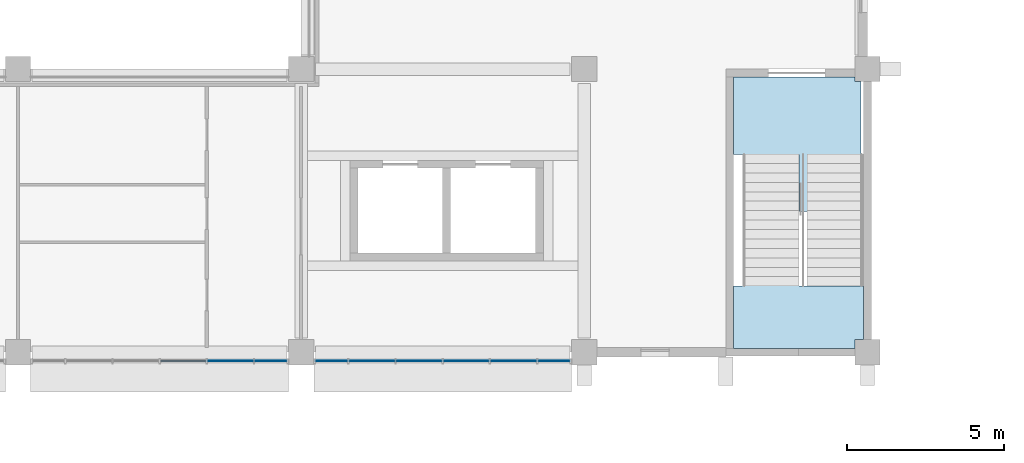
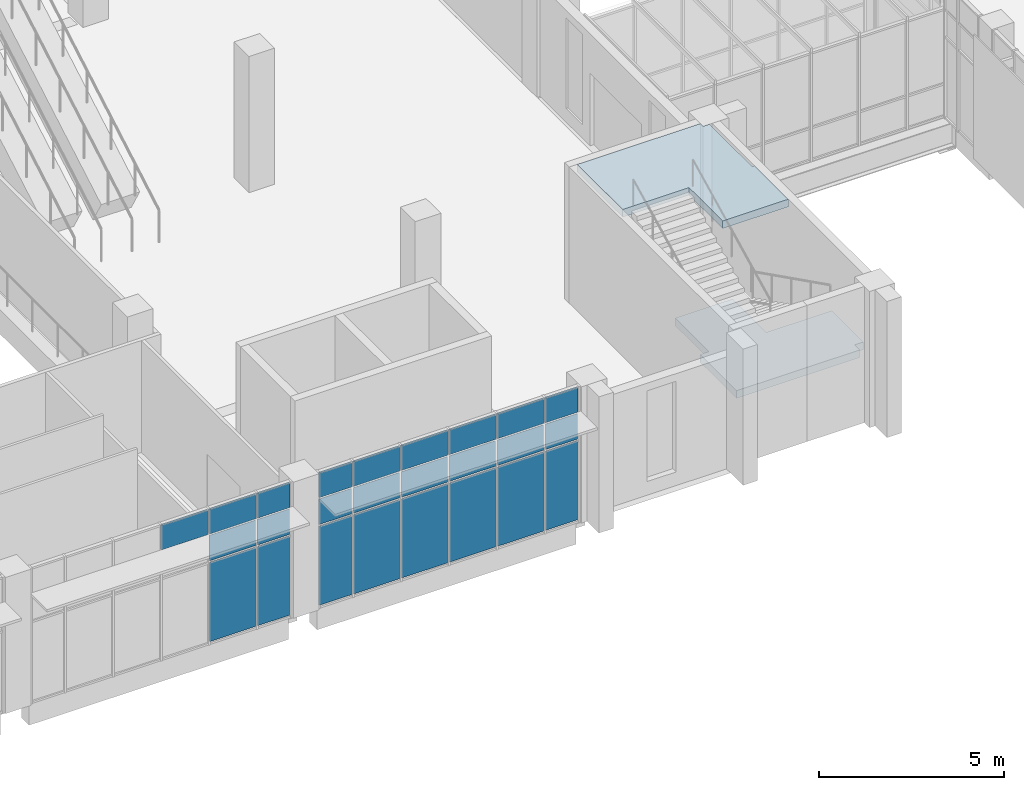
# One storey, part 51 of 106: 25 plates, 2 slabs, 3 elements without a shape of their own.
"""IFC4 building model written with IfcOpenShell, lengths in metres."""

from ifc_helpers import new_model, si_unit, direction, frame, origin, origin_2d, place, context, subcontext, project, spatial, polyline, rectangle, outline, extrude, material, layer, layer_set, type_object, element, aggregate, save


model = new_model("IFC4")

# Units and contexts
model_context = context("Model", 3, precision=1e-05, world=origin(), true_north=direction((0.0, 1.0)))
body_context = subcontext(model_context, "Body", "Model", "MODEL_VIEW")
ifc_project = project(units=[si_unit("LENGTHUNIT", "METRE"), si_unit("AREAUNIT", "SQUARE_METRE"), si_unit("VOLUMEUNIT", "CUBIC_METRE"), si_unit("PLANEANGLEUNIT", "RADIAN"), si_unit("MASSUNIT", "GRAM", prefix="KILO")], contexts=[model_context])

# Site, building, storey
site_placement = place(None, origin())
site = spatial("IfcSite", under=ifc_project, at=site_placement, CompositionType="ELEMENT")
building_placement = place(site_placement, origin())
building = spatial("IfcBuilding", under=site, at=building_placement, Name="Guidao Yard Department Store", CompositionType="ELEMENT")
storey_placement = place(building_placement, frame((0.0, 0.0, 10.5)))
storey = spatial("IfcBuildingStorey", under=building, at=storey_placement, Name="L02", CompositionType="ELEMENT", Elevation=10.5)

# Curtain wall, plates
ifc_material_1 = material(Name="Aluminium and glass", Category="aluminium")
ifc_layer_1 = layer(ifc_material_1, 0.159912109375)
ifc_layer_set_1 = layer_set([ifc_layer_1], Name="Hall front curtain wall CW2 1500 module")
curtain_wall_type = type_object("IfcCurtainWallType", Name="Hall front curtain wall CW2 1500 module", PredefinedType="NOTDEFINED", material=ifc_layer_set_1)
curtain_wall_1_placement = place(storey_placement, origin())
curtain_wall_1 = element("IfcCurtainWall", 1, at=curtain_wall_1_placement, inside=storey, type_object=curtain_wall_type, Name="Hall front curtain wall", PredefinedType="NOTDEFINED")
ifc_material_2 = material(Name="Aluminium 6063-T5 faced insulated spandrel", Category="aluminium")
ifc_layer_2 = layer(ifc_material_2, 0.06005859375)
ifc_layer_set_2 = layer_set([ifc_layer_2], Name="Spandrel panel SP1 insulated opaque")
plate_type_1 = type_object("IfcPlateType", Name="Spandrel panel SP1 insulated opaque", PredefinedType="CURTAIN_PANEL", material=ifc_layer_set_2)
plate_1_placement = place(storey_placement, frame((41.25, 44.719970703125, 3.6298828125), z_axis=(0.0, 0.0, 1.0), x_axis=(-1.0, 0.0, 0.0)))
plate_1 = element("IfcPlate", 2, at=plate_1_placement, type_object=plate_type_1, Name="CW-HF-L02-04 panel 4.3", PredefinedType="CURTAIN_PANEL", context=body_context, shape_type="SweptSolid", body=[
    extrude(rectangle(XDim=1.43994140625, YDim=0.06005859375, at=origin_2d()), origin(), (0.0, 0.0, 1.0), 0.81005859375),
])
plate_2_placement = place(storey_placement, frame((42.75, 44.719970703125, 3.6298828125), z_axis=(0.0, 0.0, 1.0), x_axis=(-1.0, 0.0, 0.0)))
plate_2 = element("IfcPlate", 3, at=plate_2_placement, type_object=plate_type_1, Name="CW-HF-L02-04 panel 5.3", PredefinedType="CURTAIN_PANEL", context=body_context, shape_type="SweptSolid", body=[
    extrude(rectangle(XDim=1.43994140625, YDim=0.06005859375, at=origin_2d()), origin(), (0.0, 0.0, 1.0), 0.81005859375),
])
plate_3_placement = place(storey_placement, frame((44.034912109375, 44.719970703125, 3.6298828125), z_axis=(0.0, 0.0, 1.0), x_axis=(-1.0, 0.0, 0.0)))
plate_3 = element("IfcPlate", 4, at=plate_3_placement, type_object=plate_type_1, Name="CW-HF-L02-04 panel 6.3", PredefinedType="CURTAIN_PANEL", context=body_context, shape_type="SweptSolid", body=[
    extrude(rectangle(XDim=1.010009765625, YDim=0.06005859375, at=origin_2d()), origin(), (0.0, 0.0, 1.0), 0.81005859375),
])

curtain_wall_2_placement = place(storey_placement, origin())
curtain_wall_2 = element("IfcCurtainWall", 5, at=curtain_wall_2_placement, inside=storey, type_object=curtain_wall_type, Name="Hall front curtain wall", PredefinedType="NOTDEFINED")
plate_4_placement = place(storey_placement, frame((45.965087890625, 44.719970703125, 3.6298828125), z_axis=(0.0, 0.0, 1.0), x_axis=(-1.0, 0.0, 0.0)))
plate_4 = element("IfcPlate", 6, at=plate_4_placement, type_object=plate_type_1, Name="CW-HF-L02-05 panel 1.3", PredefinedType="CURTAIN_PANEL", context=body_context, shape_type="SweptSolid", body=[
    extrude(rectangle(XDim=1.010009765625, YDim=0.06005859375, at=origin_2d()), origin(), (0.0, 0.0, 1.0), 0.81005859375),
])
plate_5_placement = place(storey_placement, frame((47.25, 44.719970703125, 3.6298828125), z_axis=(0.0, 0.0, 1.0), x_axis=(-1.0, 0.0, 0.0)))
plate_5 = element("IfcPlate", 7, at=plate_5_placement, type_object=plate_type_1, Name="CW-HF-L02-05 panel 2.3", PredefinedType="CURTAIN_PANEL", context=body_context, shape_type="SweptSolid", body=[
    extrude(rectangle(XDim=1.43994140625, YDim=0.06005859375, at=origin_2d()), origin(), (0.0, 0.0, 1.0), 0.81005859375),
])
plate_6_placement = place(storey_placement, frame((48.75, 44.719970703125, 3.6298828125), z_axis=(0.0, 0.0, 1.0), x_axis=(-1.0, 0.0, 0.0)))
plate_6 = element("IfcPlate", 8, at=plate_6_placement, type_object=plate_type_1, Name="CW-HF-L02-05 panel 3.3", PredefinedType="CURTAIN_PANEL", context=body_context, shape_type="SweptSolid", body=[
    extrude(rectangle(XDim=1.43994140625, YDim=0.06005859375, at=origin_2d()), origin(), (0.0, 0.0, 1.0), 0.81005859375),
])
plate_7_placement = place(storey_placement, frame((50.25, 44.719970703125, 3.6298828125), z_axis=(0.0, 0.0, 1.0), x_axis=(-1.0, 0.0, 0.0)))
plate_7 = element("IfcPlate", 9, at=plate_7_placement, type_object=plate_type_1, Name="CW-HF-L02-05 panel 4.3", PredefinedType="CURTAIN_PANEL", context=body_context, shape_type="SweptSolid", body=[
    extrude(rectangle(XDim=1.43994140625, YDim=0.06005859375, at=origin_2d()), origin(), (0.0, 0.0, 1.0), 0.81005859375),
])
plate_8_placement = place(storey_placement, frame((51.75, 44.719970703125, 3.6298828125), z_axis=(0.0, 0.0, 1.0), x_axis=(-1.0, 0.0, 0.0)))
plate_8 = element("IfcPlate", 10, at=plate_8_placement, type_object=plate_type_1, Name="CW-HF-L02-05 panel 5.3", PredefinedType="CURTAIN_PANEL", context=body_context, shape_type="SweptSolid", body=[
    extrude(rectangle(XDim=1.43994140625, YDim=0.06005859375, at=origin_2d()), origin(), (0.0, 0.0, 1.0), 0.81005859375),
])
plate_9_placement = place(storey_placement, frame((53.034912109375, 44.719970703125, 3.6298828125), z_axis=(0.0, 0.0, 1.0), x_axis=(-1.0, 0.0, 0.0)))
plate_9 = element("IfcPlate", 11, at=plate_9_placement, type_object=plate_type_1, Name="CW-HF-L02-05 panel 6.3", PredefinedType="CURTAIN_PANEL", context=body_context, shape_type="SweptSolid", body=[
    extrude(rectangle(XDim=1.010009765625, YDim=0.06005859375, at=origin_2d()), origin(), (0.0, 0.0, 1.0), 0.81005859375),
])

# Stair, slabs
ifc_material_3 = material(Name="Concrete C35", Category="concrete")
stair_type = type_object("IfcStairType", Name="Stair half-turn two-flight 1800 wide 4.5 m rise", PredefinedType="HALF_TURN_STAIR", material=ifc_material_3)
stair_placement = place(storey_placement, origin())
stair = element("IfcStair", 12, at=stair_placement, inside=storey, type_object=stair_type, Name="Stair A2 L02 to L03", PredefinedType="HALF_TURN_STAIR")
ifc_material_4 = material(Name="Concrete C35", Category="concrete")
ifc_layer_3 = layer(ifc_material_4, 0.25)
ifc_layer_set_3 = layer_set([ifc_layer_3], Name="Stair landing RC 250 C35")
slab_type = type_object("IfcSlabType", Name="Stair landing RC 250 C35", PredefinedType="LANDING", material=ifc_layer_set_3)
slab_1_placement = place(storey_placement, frame((0.0, 0.0, 2.0)))
slab_1 = element("IfcSlab", 13, at=slab_1_placement, type_object=slab_type, Name="SA2-L02 landing 1", PredefinedType="LANDING", context=body_context, shape_type="SweptSolid", body=[
    extrude(outline(polyline([(58.75, 47.10009765625), (59.02490234375, 47.10009765625), (59.02490234375, 48.929931640625), (60.824951171875, 48.929931640625), (60.824951171875, 47.110107421875), (62.875, 47.110107421875), (62.875, 47.10009765625), (62.875, 45.39990234375), (62.60009765625, 45.39990234375), (62.60009765625, 45.125), (58.75, 45.125), (58.75, 47.10009765625)])), origin(), (0.0, 0.0, 1.0), 0.25),
])
slab_2_placement = place(storey_placement, frame((0.0, 0.0, 4.25)))
slab_2 = element("IfcSlab", 14, at=slab_2_placement, type_object=slab_type, Name="SA2-L02 landing 2", PredefinedType="LANDING", context=body_context, shape_type="SweptSolid", body=[
    extrude(outline(polyline([(60.824951171875, 49.469970703125), (60.824951171875, 51.2900390625), (58.75, 51.2900390625), (58.75, 53.75), (60.824951171875, 53.75), (62.60009765625, 53.75), (62.60009765625, 53.60009765625), (62.800048828125, 53.60009765625), (62.800048828125, 51.300048828125), (62.875, 51.300048828125), (62.875, 49.469970703125), (60.824951171875, 49.469970703125)])), origin(), (0.0, 0.0, 1.0), 0.25),
])
aggregate(stair, [slab_1, slab_2])

# Plate
ifc_material_5 = material(Name="Laminated heat-soaked tempered glass", Category="glass")
ifc_layer_4 = layer(ifc_material_5, 0.017578125)
ifc_layer_set_4 = layer_set([ifc_layer_4], Name="Vision glass VG1 laminated heat-soaked tempered 8+8")
plate_type_2 = type_object("IfcPlateType", Name="Vision glass VG1 laminated heat-soaked tempered 8+8", PredefinedType="CURTAIN_PANEL", material=ifc_layer_set_4)
plate_10_placement = place(storey_placement, frame((42.75, 44.719970703125, 0.06005859375), z_axis=(0.0, 0.0, 1.0), x_axis=(-1.0, 0.0, 0.0)))
plate_10 = element("IfcPlate", 15, at=plate_10_placement, type_object=plate_type_2, Name="CW-HF-L02-04 panel 5.1", PredefinedType="CURTAIN_PANEL", context=body_context, shape_type="SweptSolid", body=[
    extrude(rectangle(XDim=1.43994140625, YDim=0.017578125, at=origin_2d()), origin(), (0.0, 0.0, 1.0), 2.610107421875),
])

plate_11_placement = place(storey_placement, frame((42.75, 44.719970703125, 2.72998046875), z_axis=(0.0, 0.0, 1.0), x_axis=(-1.0, 0.0, 0.0)))
plate_11 = element("IfcPlate", 16, at=plate_11_placement, type_object=plate_type_2, Name="CW-HF-L02-04 panel 5.2", PredefinedType="CURTAIN_PANEL", context=body_context, shape_type="SweptSolid", body=[
    extrude(rectangle(XDim=1.43994140625, YDim=0.017578125, at=origin_2d()), origin(), (0.0, 0.0, 1.0), 0.840087890625),
])

plate_12_placement = place(storey_placement, frame((44.034912109375, 44.719970703125, 0.06005859375), z_axis=(0.0, 0.0, 1.0), x_axis=(-1.0, 0.0, 0.0)))
plate_12 = element("IfcPlate", 17, at=plate_12_placement, type_object=plate_type_2, Name="CW-HF-L02-04 panel 6.1", PredefinedType="CURTAIN_PANEL", context=body_context, shape_type="SweptSolid", body=[
    extrude(rectangle(XDim=1.010009765625, YDim=0.017578125, at=origin_2d()), origin(), (0.0, 0.0, 1.0), 2.610107421875),
])

plate_13_placement = place(storey_placement, frame((44.034912109375, 44.719970703125, 2.72998046875), z_axis=(0.0, 0.0, 1.0), x_axis=(-1.0, 0.0, 0.0)))
plate_13 = element("IfcPlate", 18, at=plate_13_placement, type_object=plate_type_2, Name="CW-HF-L02-04 panel 6.2", PredefinedType="CURTAIN_PANEL", context=body_context, shape_type="SweptSolid", body=[
    extrude(rectangle(XDim=1.010009765625, YDim=0.017578125, at=origin_2d()), origin(), (0.0, 0.0, 1.0), 0.840087890625),
])

aggregate(curtain_wall_1, [plate_1, plate_10, plate_11, plate_2, plate_12, plate_13, plate_3])

plate_14_placement = place(storey_placement, frame((45.965087890625, 44.719970703125, 0.06005859375), z_axis=(0.0, 0.0, 1.0), x_axis=(-1.0, 0.0, 0.0)))
plate_14 = element("IfcPlate", 19, at=plate_14_placement, type_object=plate_type_2, Name="CW-HF-L02-05 panel 1.1", PredefinedType="CURTAIN_PANEL", context=body_context, shape_type="SweptSolid", body=[
    extrude(rectangle(XDim=1.010009765625, YDim=0.017578125, at=origin_2d()), origin(), (0.0, 0.0, 1.0), 2.610107421875),
])

plate_15_placement = place(storey_placement, frame((45.965087890625, 44.719970703125, 2.72998046875), z_axis=(0.0, 0.0, 1.0), x_axis=(-1.0, 0.0, 0.0)))
plate_15 = element("IfcPlate", 20, at=plate_15_placement, type_object=plate_type_2, Name="CW-HF-L02-05 panel 1.2", PredefinedType="CURTAIN_PANEL", context=body_context, shape_type="SweptSolid", body=[
    extrude(rectangle(XDim=1.010009765625, YDim=0.017578125, at=origin_2d()), origin(), (0.0, 0.0, 1.0), 0.840087890625),
])

plate_16_placement = place(storey_placement, frame((47.25, 44.719970703125, 0.06005859375), z_axis=(0.0, 0.0, 1.0), x_axis=(-1.0, 0.0, 0.0)))
plate_16 = element("IfcPlate", 21, at=plate_16_placement, type_object=plate_type_2, Name="CW-HF-L02-05 panel 2.1", PredefinedType="CURTAIN_PANEL", context=body_context, shape_type="SweptSolid", body=[
    extrude(rectangle(XDim=1.43994140625, YDim=0.017578125, at=origin_2d()), origin(), (0.0, 0.0, 1.0), 2.610107421875),
])

plate_17_placement = place(storey_placement, frame((47.25, 44.719970703125, 2.72998046875), z_axis=(0.0, 0.0, 1.0), x_axis=(-1.0, 0.0, 0.0)))
plate_17 = element("IfcPlate", 22, at=plate_17_placement, type_object=plate_type_2, Name="CW-HF-L02-05 panel 2.2", PredefinedType="CURTAIN_PANEL", context=body_context, shape_type="SweptSolid", body=[
    extrude(rectangle(XDim=1.43994140625, YDim=0.017578125, at=origin_2d()), origin(), (0.0, 0.0, 1.0), 0.840087890625),
])

plate_18_placement = place(storey_placement, frame((48.75, 44.719970703125, 0.06005859375), z_axis=(0.0, 0.0, 1.0), x_axis=(-1.0, 0.0, 0.0)))
plate_18 = element("IfcPlate", 23, at=plate_18_placement, type_object=plate_type_2, Name="CW-HF-L02-05 panel 3.1", PredefinedType="CURTAIN_PANEL", context=body_context, shape_type="SweptSolid", body=[
    extrude(rectangle(XDim=1.43994140625, YDim=0.017578125, at=origin_2d()), origin(), (0.0, 0.0, 1.0), 2.610107421875),
])

plate_19_placement = place(storey_placement, frame((48.75, 44.719970703125, 2.72998046875), z_axis=(0.0, 0.0, 1.0), x_axis=(-1.0, 0.0, 0.0)))
plate_19 = element("IfcPlate", 24, at=plate_19_placement, type_object=plate_type_2, Name="CW-HF-L02-05 panel 3.2", PredefinedType="CURTAIN_PANEL", context=body_context, shape_type="SweptSolid", body=[
    extrude(rectangle(XDim=1.43994140625, YDim=0.017578125, at=origin_2d()), origin(), (0.0, 0.0, 1.0), 0.840087890625),
])

plate_20_placement = place(storey_placement, frame((50.25, 44.719970703125, 0.06005859375), z_axis=(0.0, 0.0, 1.0), x_axis=(-1.0, 0.0, 0.0)))
plate_20 = element("IfcPlate", 25, at=plate_20_placement, type_object=plate_type_2, Name="CW-HF-L02-05 panel 4.1", PredefinedType="CURTAIN_PANEL", context=body_context, shape_type="SweptSolid", body=[
    extrude(rectangle(XDim=1.43994140625, YDim=0.017578125, at=origin_2d()), origin(), (0.0, 0.0, 1.0), 2.610107421875),
])

plate_21_placement = place(storey_placement, frame((50.25, 44.719970703125, 2.72998046875), z_axis=(0.0, 0.0, 1.0), x_axis=(-1.0, 0.0, 0.0)))
plate_21 = element("IfcPlate", 26, at=plate_21_placement, type_object=plate_type_2, Name="CW-HF-L02-05 panel 4.2", PredefinedType="CURTAIN_PANEL", context=body_context, shape_type="SweptSolid", body=[
    extrude(rectangle(XDim=1.43994140625, YDim=0.017578125, at=origin_2d()), origin(), (0.0, 0.0, 1.0), 0.840087890625),
])

plate_22_placement = place(storey_placement, frame((51.75, 44.719970703125, 0.06005859375), z_axis=(0.0, 0.0, 1.0), x_axis=(-1.0, 0.0, 0.0)))
plate_22 = element("IfcPlate", 27, at=plate_22_placement, type_object=plate_type_2, Name="CW-HF-L02-05 panel 5.1", PredefinedType="CURTAIN_PANEL", context=body_context, shape_type="SweptSolid", body=[
    extrude(rectangle(XDim=1.43994140625, YDim=0.017578125, at=origin_2d()), origin(), (0.0, 0.0, 1.0), 2.610107421875),
])

plate_23_placement = place(storey_placement, frame((51.75, 44.719970703125, 2.72998046875), z_axis=(0.0, 0.0, 1.0), x_axis=(-1.0, 0.0, 0.0)))
plate_23 = element("IfcPlate", 28, at=plate_23_placement, type_object=plate_type_2, Name="CW-HF-L02-05 panel 5.2", PredefinedType="CURTAIN_PANEL", context=body_context, shape_type="SweptSolid", body=[
    extrude(rectangle(XDim=1.43994140625, YDim=0.017578125, at=origin_2d()), origin(), (0.0, 0.0, 1.0), 0.840087890625),
])

plate_24_placement = place(storey_placement, frame((53.034912109375, 44.719970703125, 0.06005859375), z_axis=(0.0, 0.0, 1.0), x_axis=(-1.0, 0.0, 0.0)))
plate_24 = element("IfcPlate", 29, at=plate_24_placement, type_object=plate_type_2, Name="CW-HF-L02-05 panel 6.1", PredefinedType="CURTAIN_PANEL", context=body_context, shape_type="SweptSolid", body=[
    extrude(rectangle(XDim=1.010009765625, YDim=0.017578125, at=origin_2d()), origin(), (0.0, 0.0, 1.0), 2.610107421875),
])

plate_25_placement = place(storey_placement, frame((53.034912109375, 44.719970703125, 2.72998046875), z_axis=(0.0, 0.0, 1.0), x_axis=(-1.0, 0.0, 0.0)))
plate_25 = element("IfcPlate", 30, at=plate_25_placement, type_object=plate_type_2, Name="CW-HF-L02-05 panel 6.2", PredefinedType="CURTAIN_PANEL", context=body_context, shape_type="SweptSolid", body=[
    extrude(rectangle(XDim=1.010009765625, YDim=0.017578125, at=origin_2d()), origin(), (0.0, 0.0, 1.0), 0.840087890625),
])

aggregate(curtain_wall_2, [plate_14, plate_15, plate_4, plate_16, plate_17, plate_5, plate_18, plate_19, plate_6, plate_20, plate_21, plate_7, plate_22, plate_23, plate_8, plate_24, plate_25, plate_9])

save(model, "model.ifc")
